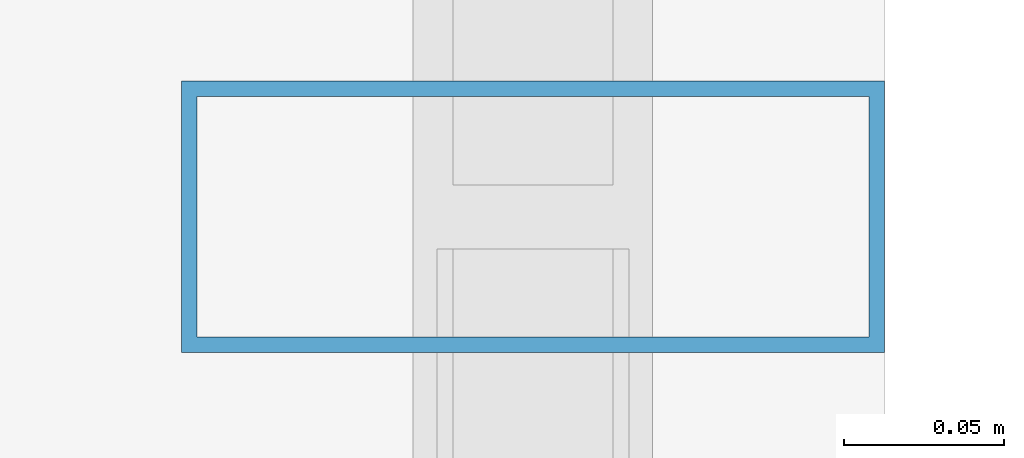
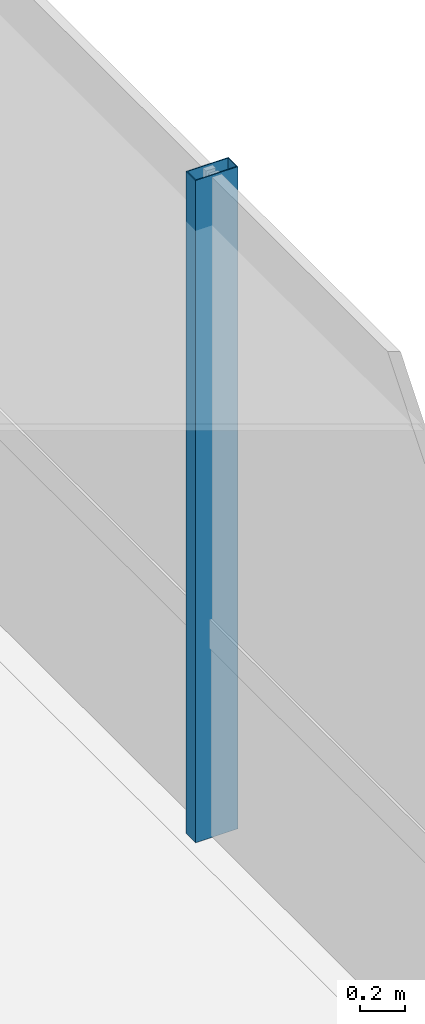
# One storey, part 15 of 37: 1 member, 1 element without a shape of its own.
"""IFC4 building model written with IfcOpenShell, lengths in metres."""

from ifc_helpers import new_model, si_unit, direction, frame, origin, origin_2d, place, context, subcontext, project, spatial, hollow_rectangle, extrude, source, transform, mapped, material, material_profile, profile_set, type_object, element, aggregate, save


model = new_model("IFC4")

# Units and contexts
model_context = context("Model", 3, precision=1e-05, world=origin(), true_north=direction((0.0, 1.0)))
body_context = subcontext(model_context, "Body", "Model", "MODEL_VIEW")
ifc_project = project(units=[si_unit("LENGTHUNIT", "METRE"), si_unit("AREAUNIT", "SQUARE_METRE"), si_unit("VOLUMEUNIT", "CUBIC_METRE"), si_unit("PLANEANGLEUNIT", "RADIAN"), si_unit("MASSUNIT", "GRAM", prefix="KILO")], contexts=[model_context])

# Site, building, storey
site_placement = place(None, origin())
site = spatial("IfcSite", under=ifc_project, at=site_placement, CompositionType="ELEMENT")
building_placement = place(site_placement, origin())
building = spatial("IfcBuilding", under=site, at=building_placement, Name="Valdorenza Pilgrim Sanctuary Tower", CompositionType="ELEMENT")
storey_placement = place(building_placement, frame((0.0, 0.0, 188.39990234375)))
storey = spatial("IfcBuildingStorey", under=building, at=storey_placement, Name="L48", CompositionType="ELEMENT", Elevation=188.39990234375)

# Curtain wall, member
ifc_material_1 = material(Name="Curtain-wall IGU glazing", Category="glass")
curtain_wall_type = type_object("IfcCurtainWallType", Name="CW-SYS-03", PredefinedType="NOTDEFINED", material=ifc_material_1)
curtain_wall_placement = place(storey_placement, origin())
curtain_wall = element("IfcCurtainWall", 1, at=curtain_wall_placement, inside=storey, type_object=curtain_wall_type, Name="L48 Curtain Wall CW-L48-1-37", PredefinedType="NOTDEFINED")
ifc_material_2 = material(Name="Anodised aluminium AW-6060", Category="aluminium")
ifc_material_profile = material_profile(ifc_material_2, hollow_rectangle(XDim=0.0849609375, YDim=0.219970703125, WallThickness=0.0048828125, at=origin_2d()), Name="ALU-M 220x85x5")
ifc_profile_set = profile_set([ifc_material_profile], Name="Anodised aluminium AW-6060")
member_type = type_object("IfcMemberType", Name="CW-MUL-03", PredefinedType="MULLION", material=ifc_profile_set)
shared_shape = source(origin(), body_context, "Body", "SweptSolid", [
    extrude(hollow_rectangle(XDim=0.0849609375, YDim=0.219970703125, WallThickness=0.0048828125, at=origin_2d()), origin(), (0.0, 0.0, 1.0), 3.630126953125),
])
member_placement = place(storey_placement, frame((29.68994140625, 1.589599609375, 0.0), z_axis=(0.0, 0.0, 1.0), x_axis=(0.0, -1.0, 0.0)))
member = element("IfcMember", 2, at=member_placement, type_object=member_type, Name="CW-L48-1-37 Mullion 3", PredefinedType="MULLION", context=body_context, shape_type="MappedRepresentation", body=[
    mapped(shared_shape, transform((0.0, 0.0, 0.0), x_axis=(1.0, 0.0, 0.0), y_axis=(0.0, 1.0, 0.0), z_axis=(0.0, 0.0, 1.0), scale=1.0)),
])
aggregate(curtain_wall, [member])

save(model, "model.ifc")
